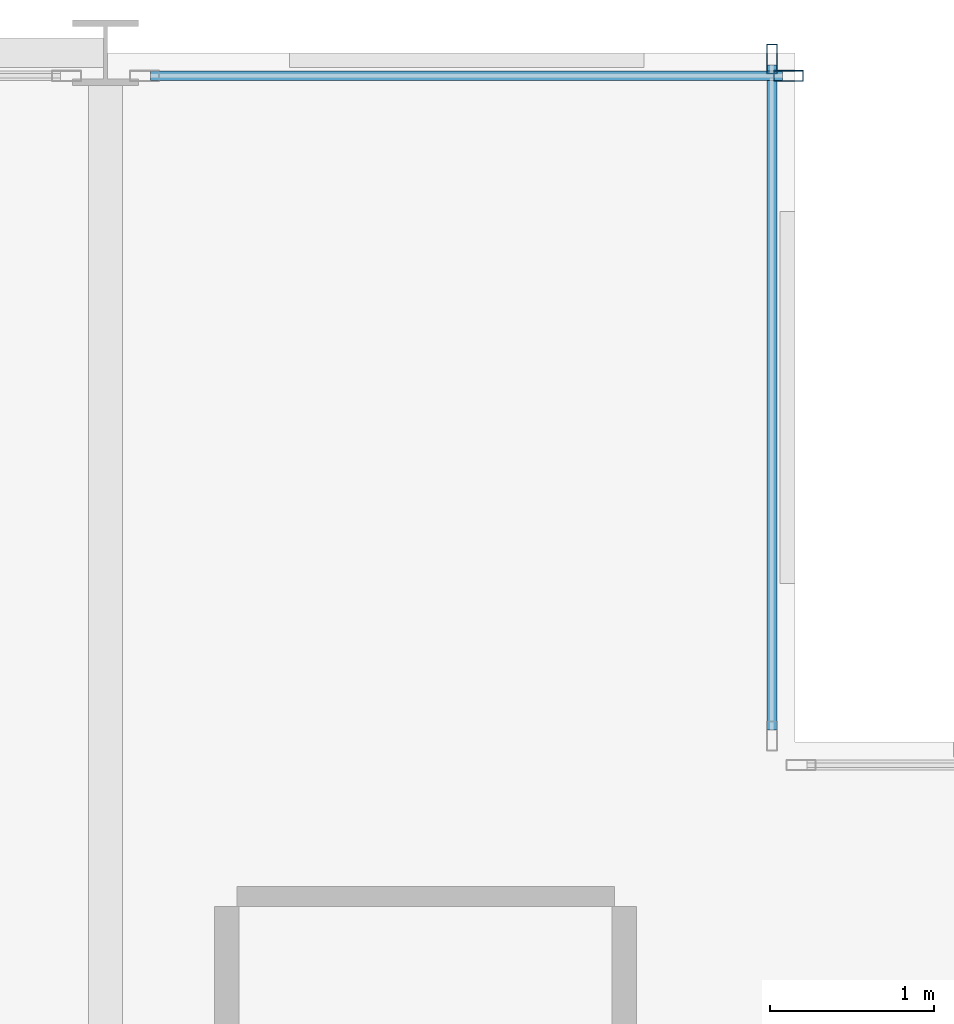
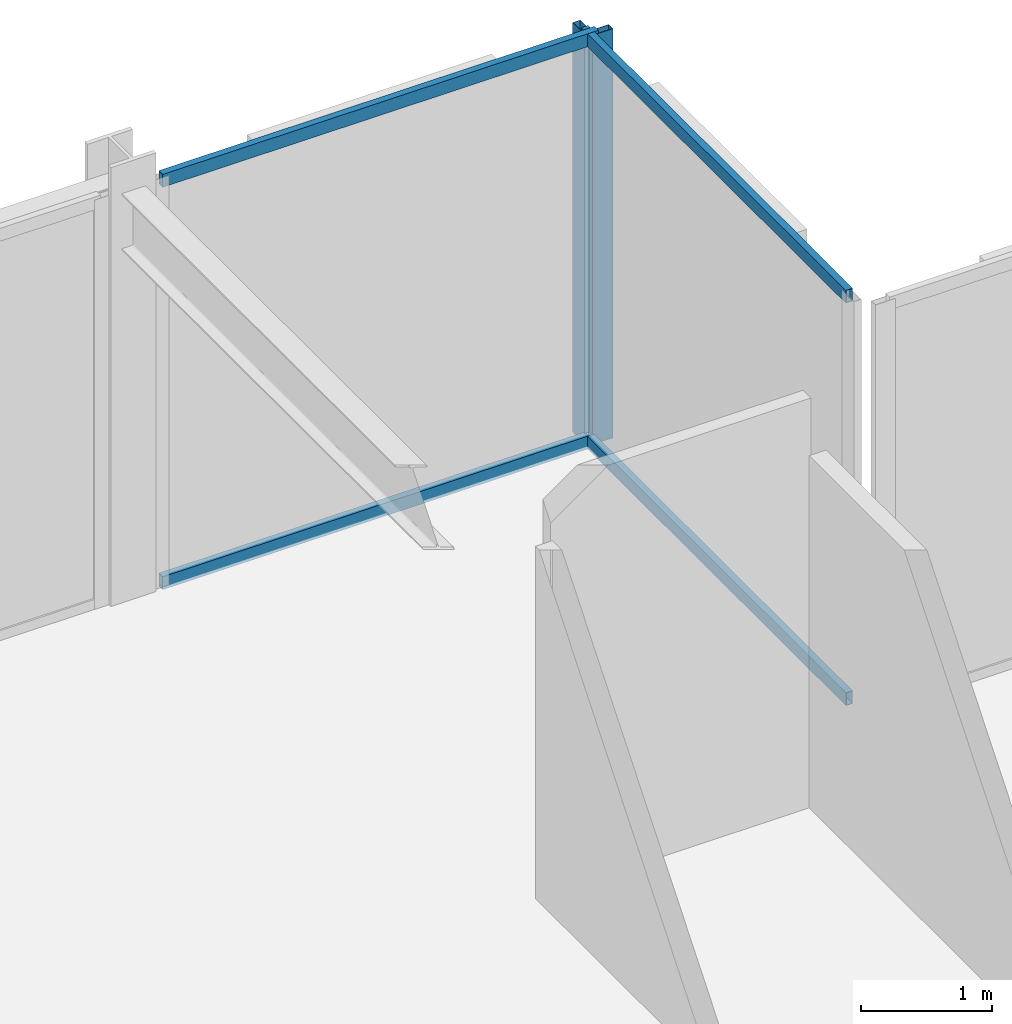
# One storey, part 30 of 38: 6 members, 2 elements without a shape of their own.
"""IFC4 building model written with IfcOpenShell, lengths in metres."""

from ifc_helpers import new_model, si_unit, direction, frame, origin, origin_2d, place, context, subcontext, project, spatial, hollow_rectangle, extrude, material, layer, layer_set, material_profile, profile_set, type_object, element, aggregate, save


model = new_model("IFC4")

# Units and contexts
model_context = context("Model", 3, precision=1e-05, world=origin(), true_north=direction((0.0, 1.0)))
body_context = subcontext(model_context, "Body", "Model", "MODEL_VIEW")
ifc_project = project(units=[si_unit("LENGTHUNIT", "METRE"), si_unit("AREAUNIT", "SQUARE_METRE"), si_unit("VOLUMEUNIT", "CUBIC_METRE"), si_unit("PLANEANGLEUNIT", "RADIAN"), si_unit("MASSUNIT", "GRAM", prefix="KILO")], contexts=[model_context])

# Site, building, storey
site_placement = place(None, origin())
site = spatial("IfcSite", under=ifc_project, at=site_placement, CompositionType="ELEMENT")
building_placement = place(site_placement, origin())
building = spatial("IfcBuilding", under=site, at=building_placement, Name="Nerrivon Quay Data Exchange", CompositionType="ELEMENT")
storey_placement = place(building_placement, frame((0.0, 0.0, 88.5)))
storey = spatial("IfcBuildingStorey", under=building, at=storey_placement, Name="L20", CompositionType="ELEMENT", Elevation=88.5)

# Curtain wall, member
ifc_material = material(Name="Anodised aluminium 6063-T6", Category="aluminium")
ifc_layer = layer(ifc_material, 0.2099609375)
ifc_layer_set = layer_set([ifc_layer], Name="Anodised aluminium 6063-T6")
curtain_wall_type = type_object("IfcCurtainWallType", Name="CW-SYS-02", PredefinedType="NOTDEFINED", material=ifc_layer_set)
curtain_wall_1_placement = place(storey_placement, origin())
curtain_wall_1 = element("IfcCurtainWall", 1, at=curtain_wall_1_placement, inside=storey, type_object=curtain_wall_type, Name="L20 Unitised Curtain Wall 26", PredefinedType="NOTDEFINED")
ifc_material_profile_1 = material_profile(ifc_material, hollow_rectangle(XDim=0.06494140625, YDim=0.179931640625, WallThickness=0.00341796875, at=origin_2d()), Name="ALU-MULL-180x65")
ifc_profile_set_1 = profile_set([ifc_material_profile_1], Name="Anodised aluminium 6063-T6")
member_type_1 = type_object("IfcMemberType", Name="CWM-180x65", PredefinedType="MULLION", material=ifc_profile_set_1)
member_1_placement = place(storey_placement, frame((20.96240234375, 50.260009765625, 0.0), z_axis=(0.0, 0.0, 1.0), x_axis=(0.0, 1.0, 0.0)))
member_1 = element("IfcMember", 2, at=member_1_placement, type_object=member_type_1, Name="CW02 mullion 2", PredefinedType="MULLION", context=body_context, shape_type="SweptSolid", body=[
    extrude(hollow_rectangle(XDim=0.06494140625, YDim=0.179931640625, WallThickness=0.00341796875, at=origin_2d()), origin(), (0.0, 0.0, 1.0), 3.824951171875),
])

curtain_wall_2_placement = place(storey_placement, origin())
curtain_wall_2 = element("IfcCurtainWall", 3, at=curtain_wall_2_placement, inside=storey, type_object=curtain_wall_type, Name="L20 Unitised Curtain Wall 27", PredefinedType="NOTDEFINED")
member_2_placement = place(storey_placement, frame((20.860107421875, 50.362548828125, 0.0), z_axis=(0.0, 0.0, 1.0), x_axis=(1.0, 0.0, 0.0)))
member_2 = element("IfcMember", 4, at=member_2_placement, type_object=member_type_1, Name="CW02 mullion 1", PredefinedType="MULLION", context=body_context, shape_type="SweptSolid", body=[
    extrude(hollow_rectangle(XDim=0.06494140625, YDim=0.179931640625, WallThickness=0.00341796875, at=origin_2d()), origin(), (0.0, 0.0, 1.0), 3.824951171875),
])

# Member
ifc_material_profile_2 = material_profile(ifc_material, hollow_rectangle(XDim=0.06005859375, YDim=0.1201171875, WallThickness=0.003173828125, at=origin_2d()), Name="ALU-TRAN-120x60")
ifc_profile_set_2 = profile_set([ifc_material_profile_2], Name="Anodised aluminium 6063-T6")
member_type_2 = type_object("IfcMemberType", Name="CWT-120x60", PredefinedType="USERDEFINED", material=ifc_profile_set_2)
member_3_placement = place(storey_placement, frame((17.074951171875, 50.260009765625, 0.032470703125), z_axis=(1.0, 0.0, 0.0), x_axis=(0.0, 1.0, 0.0)))
member_3 = element("IfcMember", 5, at=member_3_placement, type_object=member_type_2, Name="CW02 transom 1.1", ObjectType="TRANSOM", PredefinedType="USERDEFINED", context=body_context, shape_type="SweptSolid", body=[
    extrude(hollow_rectangle(XDim=0.06005859375, YDim=0.1201171875, WallThickness=0.003173828125, at=origin_2d()), origin(), (0.0, 0.0, 1.0), 3.85009765625),
])

member_4_placement = place(storey_placement, frame((17.074951171875, 50.260009765625, 3.79248046875), z_axis=(1.0, 0.0, 0.0), x_axis=(0.0, 1.0, 0.0)))
member_4 = element("IfcMember", 6, at=member_4_placement, type_object=member_type_2, Name="CW02 transom 1.2", ObjectType="TRANSOM", PredefinedType="USERDEFINED", context=body_context, shape_type="SweptSolid", body=[
    extrude(hollow_rectangle(XDim=0.06005859375, YDim=0.1201171875, WallThickness=0.003173828125, at=origin_2d()), origin(), (0.0, 0.0, 1.0), 3.85009765625),
])

aggregate(curtain_wall_1, [member_1, member_3, member_4])

member_5_placement = place(storey_placement, frame((20.860107421875, 50.324951171875, 0.032470703125), z_axis=(0.0, -1.0, 0.0), x_axis=(1.0, 0.0, 0.0)))
member_5 = element("IfcMember", 7, at=member_5_placement, type_object=member_type_2, Name="CW02 transom 1.1", ObjectType="TRANSOM", PredefinedType="USERDEFINED", context=body_context, shape_type="SweptSolid", body=[
    extrude(hollow_rectangle(XDim=0.06005859375, YDim=0.1201171875, WallThickness=0.003173828125, at=origin_2d()), origin(), (0.0, 0.0, 1.0), 4.050048828125),
])

member_6_placement = place(storey_placement, frame((20.860107421875, 50.324951171875, 3.79248046875), z_axis=(0.0, -1.0, 0.0), x_axis=(1.0, 0.0, 0.0)))
member_6 = element("IfcMember", 8, at=member_6_placement, type_object=member_type_2, Name="CW02 transom 1.2", ObjectType="TRANSOM", PredefinedType="USERDEFINED", context=body_context, shape_type="SweptSolid", body=[
    extrude(hollow_rectangle(XDim=0.06005859375, YDim=0.1201171875, WallThickness=0.003173828125, at=origin_2d()), origin(), (0.0, 0.0, 1.0), 4.050048828125),
])

aggregate(curtain_wall_2, [member_2, member_5, member_6])

save(model, "model.ifc")
